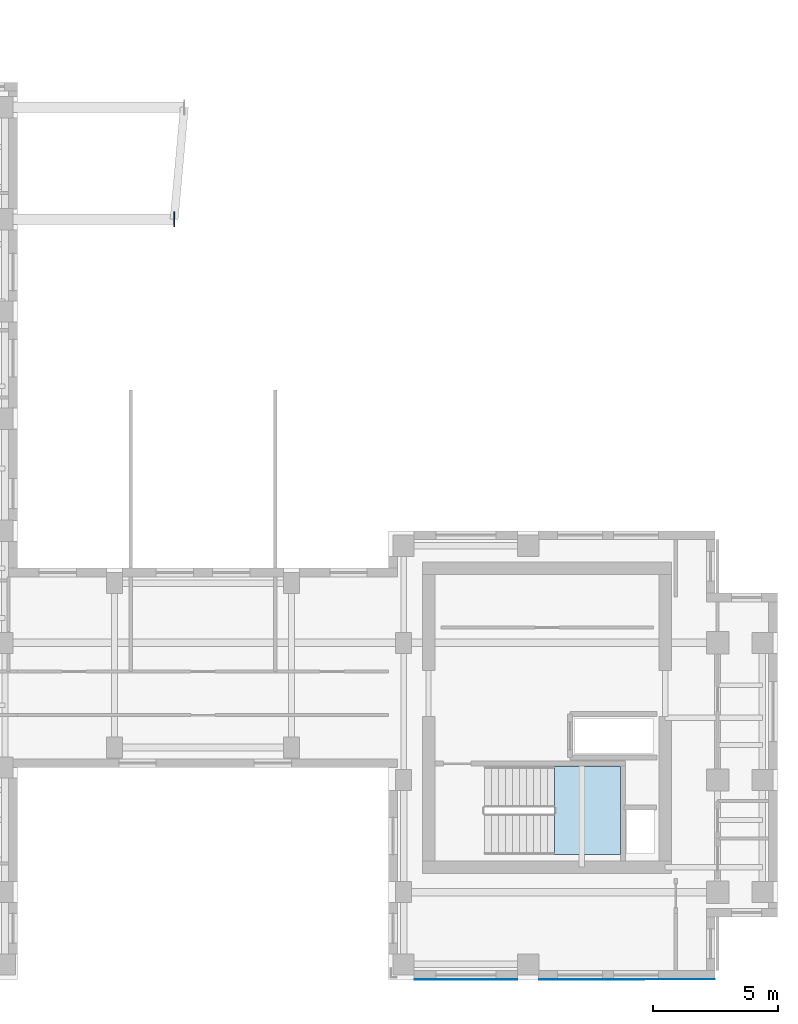
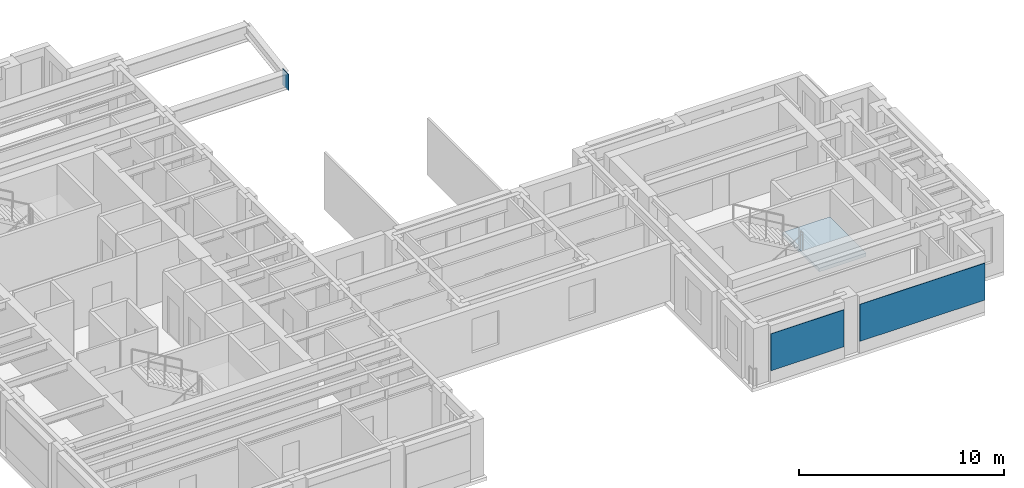
# One storey, part 3 of 11: 3 plates, 1 slab, 1 element without a shape of its own.
"""IFC4 building model written with IfcOpenShell, lengths in metres."""

import ifcopenshell
import ifcopenshell.guid

model = None  # the IFC model being written
_history = None  # IfcOwnerHistory: only IFC2X3 demands one
_inside = {}  # id of a spatial element -> (the spatial element, [elements in it])
_under = {}  # id of a project, library or spatial element -> (it, [spatial elements below it])
_declared = {}  # id of a project -> (the project, [libraries it declares])
_typed = {}  # id of a type object -> (the type object, [elements of that type])
_made_of = {}  # id of a material, layer set ... -> (it, [elements and type objects made of it])


def new_model(schema):
    """Start an empty IFC model of exactly this schema.

    Asked for "IFC4X3", IfcOpenShell would pick the latest addendum, in which some entities
    have other attributes; the version numbers below select the first issue.
    IFC2X3 requires an IfcOwnerHistory on every rooted entity: one is made here for all.
    """
    global model, _history
    if schema == "IFC4X3":
        model = ifcopenshell.file(schema_version=(4, 3, 0, 0))
    else:
        model = ifcopenshell.file(schema=schema)
    _inside.clear()
    _under.clear()
    _declared.clear()
    _typed.clear()
    _made_of.clear()
    _history = None
    if model.schema == "IFC2X3":
        org = make("IfcOrganization", Name="unknown")
        user = make(
            "IfcPersonAndOrganization",
            ThePerson=make("IfcPerson", FamilyName="unknown"),
            TheOrganization=org,
        )
        app = make(
            "IfcApplication",
            ApplicationDeveloper=org,
            Version="unknown",
            ApplicationFullName="unknown",
            ApplicationIdentifier="unknown",
        )
        _history = make(
            "IfcOwnerHistory",
            OwningUser=user,
            OwningApplication=app,
            ChangeAction="ADDED",
            CreationDate=0,
        )
    return model


def make(cls, **values):
    """One entity of the class cls with the attributes given. An attribute that is None is left unset."""
    return model.create_entity(
        cls, **{name: value for name, value in values.items() if value is not None}
    )


def rooted(cls, **values):
    """An entity with a GlobalId (a new one), such as an element, a storey or a relation."""
    return make(cls, GlobalId=ifcopenshell.guid.new(), OwnerHistory=_history, **values)


def si_unit(unit_type, name, prefix=None):
    """IfcSIUnit, for example si_unit("LENGTHUNIT", "METRE", prefix="MILLI")."""
    return make("IfcSIUnit", UnitType=unit_type, Prefix=prefix, Name=name)


def assignment(units):
    """IfcUnitAssignment: the units of a project."""
    return None if units is None else make("IfcUnitAssignment", Units=units)


def point(xyz):
    """IfcCartesianPoint."""
    return None if xyz is None else make("IfcCartesianPoint", Coordinates=xyz)


def direction(xyz):
    """IfcDirection."""
    return None if xyz is None else make("IfcDirection", DirectionRatios=xyz)


def frame(location, z_axis=None, x_axis=None):
    """IfcAxis2Placement3D, a coordinate frame: its origin and axes. An axis left out is left unset."""
    return make(
        "IfcAxis2Placement3D",
        Location=point(location),
        Axis=direction(z_axis),
        RefDirection=direction(x_axis),
    )


def frame_2d(location, x_axis=None):
    """IfcAxis2Placement2D, a coordinate frame in the plane: its origin and x axis."""
    return make(
        "IfcAxis2Placement2D", Location=point(location), RefDirection=direction(x_axis)
    )


def origin():
    """The frame at (0, 0, 0) with its axes left unset."""
    return frame((0.0, 0.0, 0.0))


def origin_2d():
    """The frame at (0, 0) in the plane with its x axis left unset."""
    return frame_2d((0.0, 0.0))


def place(relative_to, where):
    """IfcLocalPlacement: puts the frame where relative to a parent placement (None: the world)."""
    return make(
        "IfcLocalPlacement", PlacementRelTo=relative_to, RelativePlacement=where
    )


def context(
    kind, dimensions, precision=None, world=None, true_north=None, identifier=None
):
    """IfcGeometricRepresentationContext, for example the 3D "Model" context."""
    return make(
        "IfcGeometricRepresentationContext",
        ContextIdentifier=identifier,
        ContextType=kind,
        CoordinateSpaceDimension=dimensions,
        Precision=precision,
        WorldCoordinateSystem=world,
        TrueNorth=true_north,
    )


def subcontext(parent, identifier, kind, view, scale=None):
    """IfcGeometricRepresentationSubContext, for example "Body" below "Model"."""
    return make(
        "IfcGeometricRepresentationSubContext",
        ContextIdentifier=identifier,
        ContextType=kind,
        ParentContext=parent,
        TargetScale=scale,
        TargetView=view,
    )


def project(units=None, contexts=None):
    """IfcProject with its units and contexts."""
    return rooted(
        "IfcProject",
        Name="project",
        RepresentationContexts=contexts,
        UnitsInContext=assignment(units),
    )


def spatial(cls, under=None, at=None, **own):
    """A site, building, storey or space (cls), placed at a placement, below another one or the project."""
    s = rooted(cls, ObjectPlacement=at, **own)
    if under is not None:
        _under.setdefault(under.id(), (under, []))[1].append(s)
    return s


def polyline(points):
    """IfcPolyline through the points."""
    return make("IfcPolyline", Points=[point(p) for p in points])


def profile(cls, at=None, kind="AREA", **sizes):
    """A parametric profile (cls). Its sizes go by their IFC names, for example OverallWidth=200.0."""
    return make(cls, ProfileType=kind, Position=at, **sizes)


def rectangle(**sizes):
    """IfcRectangleProfileDef."""
    return profile("IfcRectangleProfileDef", **sizes)


def outline(outer, holes=None, kind="AREA"):
    """IfcArbitraryClosedProfileDef: a profile drawn as a closed curve; with holes, ...WithVoids."""
    if holes is None:
        return make("IfcArbitraryClosedProfileDef", ProfileType=kind, OuterCurve=outer)
    return make(
        "IfcArbitraryProfileDefWithVoids",
        ProfileType=kind,
        OuterCurve=outer,
        InnerCurves=holes,
    )


def extrude(swept, where, along, depth):
    """IfcExtrudedAreaSolid: the profile swept, set in the frame where, extruded along a direction by depth."""
    return make(
        "IfcExtrudedAreaSolid",
        SweptArea=swept,
        Position=where,
        ExtrudedDirection=direction(along),
        Depth=depth,
    )


def shape(context_of_items, identifier, shape_type, items):
    """IfcShapeRepresentation: the items that make up one representation, for example the "Body"."""
    return make(
        "IfcShapeRepresentation",
        ContextOfItems=context_of_items,
        RepresentationIdentifier=identifier,
        RepresentationType=shape_type,
        Items=items,
    )


def source(mapping_origin, context_of_items, identifier, shape_type, items):
    """IfcRepresentationMap: a shape defined once, which mapped items show again and again."""
    return make(
        "IfcRepresentationMap",
        MappingOrigin=mapping_origin,
        MappedRepresentation=shape(context_of_items, identifier, shape_type, items),
    )


def transform(
    local_origin,
    x_axis=None,
    y_axis=None,
    z_axis=None,
    scale=None,
    scale2=None,
    scale3=None,
    uniform=True,
):
    """IfcCartesianTransformationOperator3D, or its non-uniform kind. x_axis, y_axis, z_axis: its Axis1, 2, 3."""
    if uniform:
        return make(
            "IfcCartesianTransformationOperator3D",
            Axis1=direction(x_axis),
            Axis2=direction(y_axis),
            LocalOrigin=point(local_origin),
            Scale=scale,
            Axis3=direction(z_axis),
        )
    return make(
        "IfcCartesianTransformationOperator3DnonUniform",
        Axis1=direction(x_axis),
        Axis2=direction(y_axis),
        LocalOrigin=point(local_origin),
        Scale=scale,
        Axis3=direction(z_axis),
        Scale2=scale2,
        Scale3=scale3,
    )


def mapped(mapping_source, mapping_target):
    """IfcMappedItem: shows the shape of a source again, moved by a transform."""
    return make(
        "IfcMappedItem", MappingSource=mapping_source, MappingTarget=mapping_target
    )


def material(Name=None, Category=None):
    """IfcMaterial."""
    return make("IfcMaterial", Name=Name, Category=Category)


def layer(
    of_material, thickness, ventilated=None, Name=None, Category=None, Priority=None
):
    """IfcMaterialLayer: one layer of a wall or slab, of a material (None: an air gap)."""
    return make(
        "IfcMaterialLayer",
        Material=of_material,
        LayerThickness=thickness,
        IsVentilated=ventilated,
        Name=Name,
        Category=Category,
        Priority=Priority,
    )


def layer_set(layers, Name=None):
    """IfcMaterialLayerSet."""
    return make("IfcMaterialLayerSet", MaterialLayers=layers, LayerSetName=Name)


def made_of(thing, what):
    """Note that an element or type object is made of a material, layer set ...; save() writes the relation."""
    if what is not None:
        _made_of.setdefault(what.id(), (what, []))[1].append(thing)
    return thing


def type_object(cls, material=None, **own):
    """A type object (cls), such as IfcWallType, which elements share."""
    return made_of(rooted(cls, **own), material)


def element(
    cls,
    number,
    at=None,
    inside=None,
    cuts=None,
    type_object=None,
    material=None,
    context=None,
    identifier="Body",
    shape_type=None,
    held_by="IfcProductDefinitionShape",
    body=None,
    shapes=None,
    **own,
):
    """One element of the class cls, such as IfcWall. Its Tag is "e" and its number.

    at: its placement. inside: the storey or other place that contains it. cuts: it is an
    opening in that element (IfcRelVoidsElement). A single representation is given by context,
    identifier, shape_type and body (its items); several are given by shapes. held_by: the class
    of the entity that holds the representations. save() writes the other relations.
    """
    e = rooted(cls, Tag="e%d" % number, ObjectPlacement=at, **own)
    if body is not None:
        shapes = [shape(context, identifier, shape_type, body)]
    if shapes is not None:
        e.Representation = make(held_by, Representations=shapes)
    if inside is not None:
        _inside.setdefault(inside.id(), (inside, []))[1].append(e)
    if cuts is not None:
        rooted(
            "IfcRelVoidsElement", RelatingBuildingElement=cuts, RelatedOpeningElement=e
        )
    if type_object is not None:
        _typed.setdefault(type_object.id(), (type_object, []))[1].append(e)
    return made_of(e, material)


def aggregate(whole, parts):
    """IfcRelAggregates: a whole, such as a stair, and the parts it consists of."""
    return rooted("IfcRelAggregates", RelatingObject=whole, RelatedObjects=parts)


def save(model, path):
    """Write the relations noted so far, then the file.

    IfcRelAggregates (storeys below a building ...), IfcRelContainedInSpatialStructure (elements
    in a storey), IfcRelDefinesByType, IfcRelAssociatesMaterial and IfcRelDeclares: one each for
    every whole, place, type object, material and project.
    """
    for whole, parts in _under.values():
        aggregate(whole, parts)
    for where, things in _inside.values():
        rooted(
            "IfcRelContainedInSpatialStructure",
            RelatedElements=things,
            RelatingStructure=where,
        )
    for kind, things in _typed.values():
        rooted("IfcRelDefinesByType", RelatedObjects=things, RelatingType=kind)
    for what, things in _made_of.values():
        rooted("IfcRelAssociatesMaterial", RelatedObjects=things, RelatingMaterial=what)
    for by, libraries in _declared.values():
        rooted("IfcRelDeclares", RelatingContext=by, RelatedDefinitions=libraries)
    model.write(path)


model = new_model("IFC4")

# Units and contexts
model_context = context("Model", 3, precision=1e-05, world=origin(), true_north=direction((0.0, 1.0)))
body_context = subcontext(model_context, "Body", "Model", "MODEL_VIEW")
ifc_project = project(units=[si_unit("LENGTHUNIT", "METRE"), si_unit("AREAUNIT", "SQUARE_METRE"), si_unit("VOLUMEUNIT", "CUBIC_METRE"), si_unit("PLANEANGLEUNIT", "RADIAN"), si_unit("MASSUNIT", "GRAM", prefix="KILO")], contexts=[model_context])

# Site, building, storey
site_placement = place(None, origin())
site = spatial("IfcSite", under=ifc_project, at=site_placement, CompositionType="ELEMENT")
building_placement = place(site_placement, origin())
building = spatial("IfcBuilding", under=site, at=building_placement, Name="Kharzan Plaza Tower", CompositionType="ELEMENT")
storey_placement = place(building_placement, frame((0.0, 0.0, 234.0)))
storey = spatial("IfcBuildingStorey", under=building, at=storey_placement, Name="L63", CompositionType="ELEMENT", Elevation=234.0)

# Stair, slab
ifc_material_1 = material(Name="Concrete C40/50", Category="concrete")
stair_type = type_object("IfcStairType", Name="STR-ST-3", PredefinedType="HALF_TURN_STAIR", material=ifc_material_1)
stair_placement = place(storey_placement, origin())
stair = element("IfcStair", 1, at=stair_placement, inside=storey, type_object=stair_type, Name="L63 Protected Exit Stair ST-3", PredefinedType="HALF_TURN_STAIR")
ifc_layer_1 = layer(ifc_material_1, 0.219970703125)
ifc_layer_set_1 = layer_set([ifc_layer_1], Name="Concrete C40/50")
slab_type = type_object("IfcSlabType", Name="SL-LANDING-220", PredefinedType="LANDING", material=ifc_layer_set_1)
slab_placement = place(storey_placement, frame((0.0, 0.0, 1.60009765625)))
slab = element("IfcSlab", 2, at=slab_placement, type_object=slab_type, Name="ST-3 landing 1", PredefinedType="LANDING", context=body_context, shape_type="SweptSolid", body=[
    extrude(outline(polyline([(41.050048828125, 5.0), (43.699951171875, 5.0), (43.699951171875, 8.550048828125), (41.050048828125, 8.550048828125), (41.050048828125, 5.0)])), origin(), (0.0, 0.0, 1.0), 0.199951171875),
])
aggregate(stair, [slab])

# Plates
ifc_material_2 = material(Name="Steel S460", Category="steel")
ifc_layer_2 = layer(ifc_material_2, 0.0419921875)
ifc_layer_set_2 = layer_set([ifc_layer_2], Name="Steel S460")
plate_type_1 = type_object("IfcPlateType", Name="PLT-ZTN1", PredefinedType="USERDEFINED", material=ifc_layer_set_2)
shared_shape_1 = source(origin(), body_context, "Body", "SweptSolid", [
    extrude(rectangle(XDim=0.60009765625, YDim=0.0419921875, at=origin_2d()), origin(), (0.0, 0.0, 1.0), 0.949951171875),
])
plate_1_placement = place(storey_placement, frame((25.7900390625, 30.5, 2.44140625), z_axis=(0.0, 0.0, 1.0), x_axis=(0.0, 1.0, 0.0)))
element("IfcPlate", 3, at=plate_1_placement, inside=storey, type_object=plate_type_1, Name="L63 Sky-Terrace Cantilever Tip Plate ZTN1", ObjectType="FLANGE_PLATE", PredefinedType="USERDEFINED", context=body_context, shape_type="MappedRepresentation", body=[
    mapped(shared_shape_1, transform((0.0, 0.0, 0.0), x_axis=(1.0, 0.0, 0.0), y_axis=(0.0, 1.0, 0.0), z_axis=(0.0, 0.0, 1.0))),
])
ifc_material_3 = material(Name="Perforated Bronze-Anodized Aluminium", Category="aluminium")
ifc_layer_3 = layer(ifc_material_3, 0.030029296875)
ifc_layer_set_3 = layer_set([ifc_layer_3], Name="Perforated Bronze-Anodized Aluminium")
plate_type_2 = type_object("IfcPlateType", Name="PLT-MASH-SCREEN", PredefinedType="SHEET", material=ifc_layer_set_3)
shared_shape_2 = source(origin(), body_context, "Body", "SweptSolid", [
    extrude(rectangle(XDim=4.114013671875, YDim=0.030029296875, at=origin_2d()), origin(), (0.0, 0.0, 1.0), 2.199951171875),
])
plate_2_placement = place(storey_placement, frame((37.5, -0.012939453125, 0.72998046875), z_axis=(0.0, 0.0, 1.0), x_axis=(1.0, 0.0, 0.0)))
element("IfcPlate", 4, at=plate_2_placement, inside=storey, type_object=plate_type_2, Name="L63 Perforated Mashrabiya Solar Screen", PredefinedType="SHEET", context=body_context, shape_type="MappedRepresentation", body=[
    mapped(shared_shape_2, transform((0.0, 0.0, 0.0), x_axis=(1.0, 0.0, 0.0), y_axis=(0.0, 1.0, 0.0), z_axis=(0.0, 0.0, 1.0))),
])
shared_shape_3 = source(origin(), body_context, "Body", "SweptSolid", [
    extrude(rectangle(XDim=7.037109375, YDim=0.030029296875, at=origin_2d()), origin(), (0.0, 0.0, 1.0), 2.199951171875),
])
plate_3_placement = place(storey_placement, frame((43.96142578125, -0.012939453125, 0.72998046875), z_axis=(0.0, 0.0, 1.0), x_axis=(1.0, 0.0, 0.0)))
element("IfcPlate", 5, at=plate_3_placement, inside=storey, type_object=plate_type_2, Name="L63 Perforated Mashrabiya Solar Screen", PredefinedType="SHEET", context=body_context, shape_type="MappedRepresentation", body=[
    mapped(shared_shape_3, transform((0.0, 0.0, 0.0), x_axis=(1.0, 0.0, 0.0), y_axis=(0.0, 1.0, 0.0), z_axis=(0.0, 0.0, 1.0))),
])

save(model, "model.ifc")
